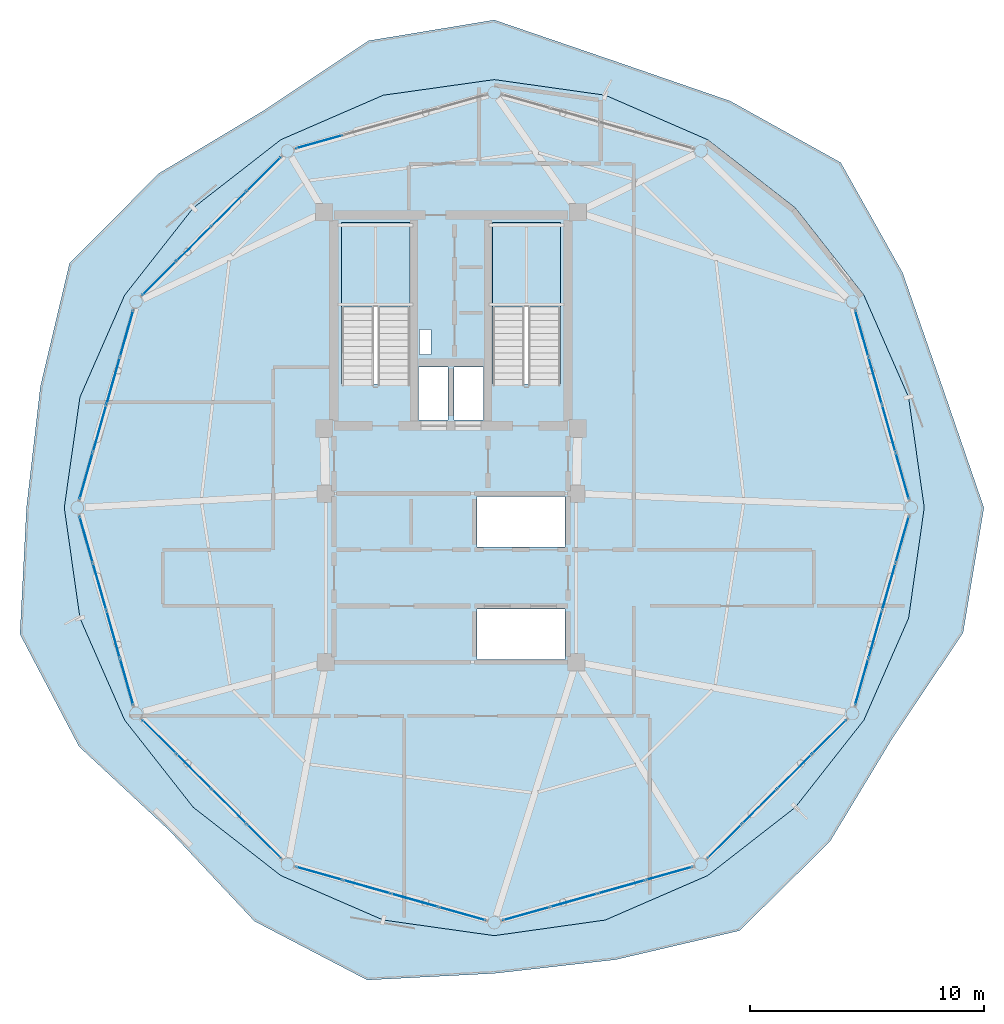
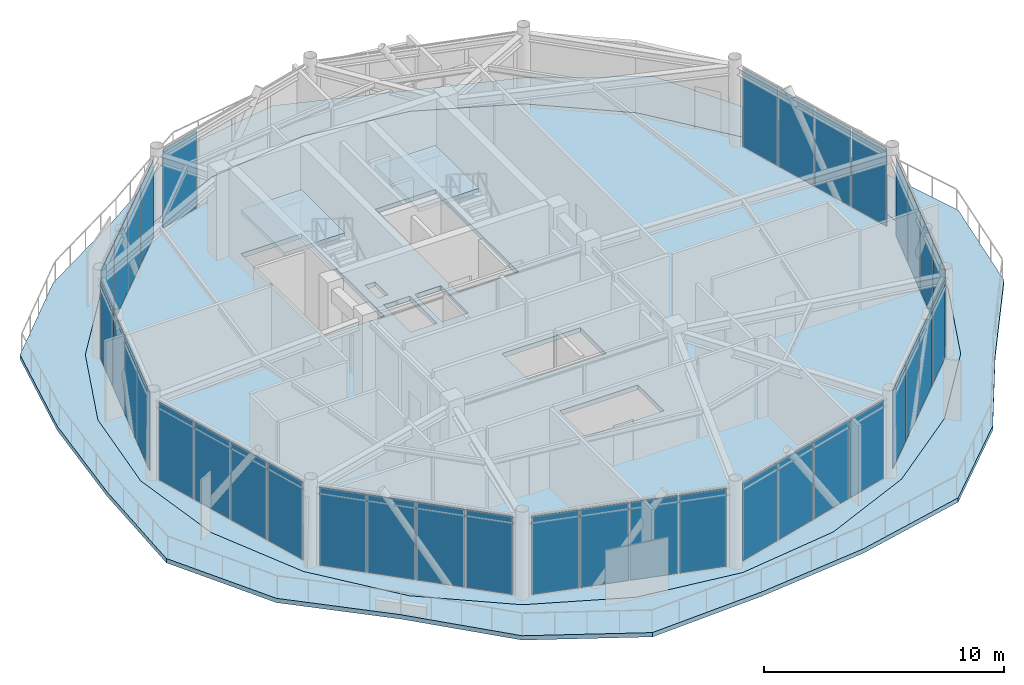
# One storey, part 17 of 24: 37 plates, 4 slabs, 12 elements without a shape of their own.
"""IFC4 building model written with IfcOpenShell, lengths in metres."""

from ifc_helpers import new_model, si_unit, direction, frame, origin, origin_2d, place, context, subcontext, project, spatial, polyline, rectangle, outline, extrude, source, transform, mapped, material, layer, layer_set, type_object, type_shapes, element, aggregate, save


model = new_model("IFC4")

# Units and contexts
model_context = context("Model", 3, precision=1e-05, world=origin(), true_north=direction((0.0, 1.0)))
body_context = subcontext(model_context, "Body", "Model", "MODEL_VIEW")
ifc_project = project(units=[si_unit("LENGTHUNIT", "METRE"), si_unit("AREAUNIT", "SQUARE_METRE"), si_unit("VOLUMEUNIT", "CUBIC_METRE"), si_unit("PLANEANGLEUNIT", "RADIAN"), si_unit("MASSUNIT", "GRAM", prefix="KILO")], contexts=[model_context])

# Site, building, storey
site_placement = place(None, origin())
site = spatial("IfcSite", under=ifc_project, at=site_placement, CompositionType="ELEMENT")
building_placement = place(site_placement, origin())
building = spatial("IfcBuilding", under=site, at=building_placement, Name="Varnakorn Sky Granary", CompositionType="ELEMENT")
storey_placement = place(building_placement, frame((0.0, 0.0, 285.0)))
storey = spatial("IfcBuildingStorey", under=building, at=storey_placement, Name="L73", CompositionType="ELEMENT", Elevation=285.0)

# Stair, slab
ifc_material_1 = material(Name="Concrete C40/50", Category="concrete")
stair_type = type_object("IfcStairType", Name="ST-MAIN-ASSEMBLY", PredefinedType="HALF_TURN_STAIR", material=ifc_material_1)
stair_1_placement = place(storey_placement, origin())
stair_1 = element("IfcStair", 1, at=stair_1_placement, inside=storey, type_object=stair_type, Name="L73 Protected Exit Stair ST-1", PredefinedType="HALF_TURN_STAIR")
ifc_layer_1 = layer(ifc_material_1, 0.199951171875, Name="Concrete C40/50")
ifc_layer_set_1 = layer_set([ifc_layer_1], Name="Concrete C40/50")
slab_type_1 = type_object("IfcSlabType", Name="ST-MAIN-LAND", PredefinedType="LANDING", material=ifc_layer_set_1)
slab_1_placement = place(storey_placement, frame((0.0, 0.0, 2.050048828125)))
slab_1 = element("IfcSlab", 2, at=slab_1_placement, type_object=slab_type_1, Name="ST-1 landing 1", PredefinedType="LANDING", context=body_context, shape_type="SweptSolid", body=[
    extrude(outline(polyline([(1.239990234375, 8.56005859375), (1.239990234375, 12.179931640625), (-1.669921875, 12.179931640625), (-1.669921875, 8.56005859375), (1.239990234375, 8.56005859375)])), origin(), (0.0, 0.0, 1.0), 0.199951171875),
])
aggregate(stair_1, [slab_1])

stair_2_placement = place(storey_placement, origin())
stair_2 = element("IfcStair", 3, at=stair_2_placement, inside=storey, type_object=stair_type, Name="L73 Protected Exit Stair ST-2", PredefinedType="HALF_TURN_STAIR")
slab_2_placement = place(storey_placement, frame((0.0, 0.0, 2.050048828125)))
slab_2 = element("IfcSlab", 4, at=slab_2_placement, type_object=slab_type_1, Name="ST-2 landing 1", PredefinedType="LANDING", context=body_context, shape_type="SweptSolid", body=[
    extrude(outline(polyline([(7.679931640625, 8.56005859375), (7.679931640625, 12.179931640625), (4.77001953125, 12.179931640625), (4.77001953125, 8.56005859375), (7.679931640625, 8.56005859375)])), origin(), (0.0, 0.0, 1.0), 0.199951171875),
])
aggregate(stair_2, [slab_2])

# Slabs
ifc_material_2 = material(Name="Precast concrete C40/50", Category="concrete")
ifc_layer_2 = layer(ifc_material_2, 0.219970703125, Name="Precast concrete C40/50")
ifc_layer_set_2 = layer_set([ifc_layer_2], Name="Precast concrete C40/50")
slab_type_2 = type_object("IfcSlabType", Name="ST-SL-DECK-220", PredefinedType="FLOOR", material=ifc_layer_set_2)
slab_3_placement = place(storey_placement, frame((0.0, 0.0, -0.219970703125)))
element("IfcSlab", 5, at=slab_3_placement, inside=storey, type_object=slab_type_2, Name="Wavy Sky-Farm Balcony Deck L73", PredefinedType="FLOOR", context=body_context, shape_type="SweptSolid", body=[
    extrude(outline(polyline([(25.7646484375, 0.0), (24.005615234375, 5.111083984375), (22.293701171875, 10.029052734375), (19.648193359375, 14.739013671875), (14.921142578125, 17.370849609375), (9.98291015625, 19.074462890625), (4.85009765625, 20.830810546875), (-0.51611328125, 19.9453125), (-4.98779296875, 16.966796875), (-9.481689453125, 14.272216796875), (-13.293701171875, 10.433349609375), (-14.5390625, 5.173583984375), (-15.13134765625, 0.0), (-15.409912109375, -5.406982421875), (-12.889404296875, -10.199951171875), (-9.014892578125, -13.8056640625), (-5.391845703125, -17.666748046875), (-0.57861328125, -20.1787109375), (4.85009765625, -19.897216796875), (10.04541015625, -19.307861328125), (15.3251953125, -18.07080078125), (19.181640625, -14.272216796875), (21.889404296875, -9.795654296875), (24.87646484375, -5.344482421875), (25.7646484375, 0.0)]), holes=[polyline([(23.218017578125, 0.0), (22.548583984375, 4.720703125), (20.64013671875, 9.074462890625), (17.7109375, 12.801513671875), (13.966552734375, 15.717529296875), (9.59228515625, 17.617431640625), (4.85009765625, 18.283935546875), (0.107666015625, 17.617431640625), (-4.2666015625, 15.717529296875), (-8.010986328125, 12.801513671875), (-10.940185546875, 9.074462890625), (-12.8486328125, 4.720703125), (-13.51806640625, 0.0), (-12.8486328125, -4.720703125), (-10.940185546875, -9.074462890625), (-8.010986328125, -12.801513671875), (-4.2666015625, -15.717529296875), (0.107666015625, -17.617431640625), (4.85009765625, -18.283935546875), (9.59228515625, -17.617431640625), (13.966552734375, -15.717529296875), (17.7109375, -12.801513671875), (20.64013671875, -9.074462890625), (22.548583984375, -4.720703125), (23.218017578125, 0.0)])]), origin(), (0.0, 0.0, 1.0), 0.219970703125),
])
ifc_material_3 = material(Name="Concrete C50/60", Category="concrete")
ifc_layer_3 = layer(ifc_material_3, 0.239990234375, Name="Concrete C50/60")
ifc_layer_set_3 = layer_set([ifc_layer_3], Name="Concrete C50/60")
slab_type_3 = type_object("IfcSlabType", Name="ST-SL-TWR-240", PredefinedType="FLOOR", material=ifc_layer_set_3)
slab_4_placement = place(storey_placement, frame((0.0, 0.0, -0.239990234375)))
element("IfcSlab", 6, at=slab_4_placement, inside=storey, type_object=slab_type_3, Name="Level L73 Structural Floor Slab", PredefinedType="FLOOR", context=body_context, shape_type="SweptSolid", body=[
    extrude(outline(polyline([(23.218017578125, 0.0), (22.548583984375, 4.720703125), (20.64013671875, 9.074462890625), (17.7109375, 12.801513671875), (13.966552734375, 15.717529296875), (9.59228515625, 17.617431640625), (4.85009765625, 18.283935546875), (0.107666015625, 17.617431640625), (-4.2666015625, 15.717529296875), (-8.010986328125, 12.801513671875), (-10.940185546875, 9.074462890625), (-12.8486328125, 4.720703125), (-13.51806640625, 0.0), (-12.8486328125, -4.720703125), (-10.940185546875, -9.074462890625), (-8.010986328125, -12.801513671875), (-4.2666015625, -15.717529296875), (0.107666015625, -17.617431640625), (4.85009765625, -18.283935546875), (9.59228515625, -17.617431640625), (13.966552734375, -15.717529296875), (17.7109375, -12.801513671875), (20.64013671875, -9.074462890625), (22.548583984375, -4.720703125), (23.218017578125, 0.0)]), holes=[polyline([(1.239990234375, 5.27490234375), (1.239990234375, 12.179931640625), (-1.669921875, 12.179931640625), (-1.669921875, 5.27490234375), (1.239990234375, 5.27490234375)]), polyline([(7.679931640625, 5.27490234375), (7.679931640625, 12.179931640625), (4.77001953125, 12.179931640625), (4.77001953125, 5.27490234375), (7.679931640625, 5.27490234375)]), polyline([(1.659912109375, 6.550048828125), (2.14990234375, 6.550048828125), (2.14990234375, 7.6201171875), (1.659912109375, 7.6201171875), (1.659912109375, 6.550048828125)]), polyline([(1.6201171875, 3.739990234375), (2.8798828125, 3.739990234375), (2.8798828125, 6.010009765625), (1.6201171875, 6.010009765625), (1.6201171875, 3.739990234375)]), polyline([(3.1201171875, 3.739990234375), (4.3798828125, 3.739990234375), (4.3798828125, 6.010009765625), (3.1201171875, 6.010009765625), (3.1201171875, 3.739990234375)]), polyline([(4.1201171875, -1.679931640625), (7.8798828125, -1.679931640625), (7.8798828125, 0.47998046875), (4.1201171875, 0.47998046875), (4.1201171875, -1.679931640625)]), polyline([(4.1201171875, -6.47998046875), (7.8798828125, -6.47998046875), (7.8798828125, -4.320068359375), (4.1201171875, -4.320068359375), (4.1201171875, -6.47998046875)])]), origin(), (0.0, 0.0, 1.0), 0.239990234375),
])

# Curtain wall, plates
ifc_material_4 = material(Name="Anodised Bronze Aluminium Alloy 6063-T6", Category="aluminium")
ifc_layer_4 = layer(ifc_material_4, 0.159912109375, Name="Anodised Bronze Aluminium Alloy 6063-T6")
ifc_layer_set_4 = layer_set([ifc_layer_4], Name="Anodised Bronze Aluminium Alloy 6063-T6")
curtain_wall_type = type_object("IfcCurtainWallType", Name="CW-OFF-1", PredefinedType="USERDEFINED", material=ifc_layer_set_4)
curtain_wall_1_placement = place(storey_placement, origin())
curtain_wall_1 = element("IfcCurtainWall", 7, at=curtain_wall_1_placement, inside=storey, type_object=curtain_wall_type, Name="Unitised Curtain Wall CW6 CW-L73-B01", ObjectType="CURTAIN WALL", PredefinedType="USERDEFINED")
ifc_material_5 = material(Name="Low-E Tinted Laminated Glass", Category="glass")
ifc_layer_5 = layer(ifc_material_5, 0.02392578125, Name="Low-E Tinted Laminated Glass")
ifc_layer_set_5 = layer_set([ifc_layer_5], Name="Low-E Tinted Laminated Glass")
plate_type = type_object("IfcPlateType", Name="CW-OFF-1-PNL", PredefinedType="CURTAIN_PANEL")
shared_shape_1 = source(origin(), body_context, "Body", "SweptSolid", [
    extrude(rectangle(XDim=2.02001953125, YDim=0.02392578125, at=origin_2d()), origin(), (0.0, 0.0, 1.0), 3.949951171875),
])
plate_1_placement = place(storey_placement, frame((20.551025390625, 7.43896484375, 0.06494140625), z_axis=(0.0, 0.0, 1.0), x_axis=(0.273708962366, -0.96181256174, 0.0)))
plate_1 = element("IfcPlate", 8, at=plate_1_placement, type_object=plate_type, material=ifc_layer_set_5, Name="CW6 vision glazing unit 1.1", PredefinedType="CURTAIN_PANEL", context=body_context, shape_type="MappedRepresentation", body=[
    mapped(shared_shape_1, transform((0.0, 0.0, 0.0), x_axis=(1.0, 0.0, 0.0), y_axis=(0.0, 1.0, 0.0), z_axis=(0.0, 0.0, 1.0), scale=1.0)),
])
plate_2_placement = place(storey_placement, frame((22.28076171875, 1.3603515625, 0.06494140625), z_axis=(0.0, 0.0, 1.0), x_axis=(0.273708962366, -0.96181256174, 0.0)))
plate_2 = element("IfcPlate", 9, at=plate_2_placement, type_object=plate_type, material=ifc_layer_set_5, Name="CW6 vision glazing unit 4.1", PredefinedType="CURTAIN_PANEL", context=body_context, shape_type="MappedRepresentation", body=[
    mapped(shared_shape_1, transform((0.0, 0.0, 0.0), x_axis=(1.0, 0.0, 0.0), y_axis=(0.0, 1.0, 0.0), z_axis=(0.0, 0.0, 1.0), scale=1.0)),
])

curtain_wall_2_placement = place(storey_placement, origin())
curtain_wall_2 = element("IfcCurtainWall", 10, at=curtain_wall_2_placement, inside=storey, type_object=curtain_wall_type, Name="Unitised Curtain Wall CW6 CW-L73-B06", ObjectType="CURTAIN WALL", PredefinedType="USERDEFINED")
plate_3_placement = place(storey_placement, frame((-12.580810546875, 1.3603515625, 0.06494140625), z_axis=(0.0, 0.0, 1.0), x_axis=(0.273708962366, 0.96181256174, 0.0)))
plate_3 = element("IfcPlate", 11, at=plate_3_placement, type_object=plate_type, material=ifc_layer_set_5, Name="CW6 vision glazing unit 1.1", PredefinedType="CURTAIN_PANEL", context=body_context, shape_type="MappedRepresentation", body=[
    mapped(shared_shape_1, transform((0.0, 0.0, 0.0), x_axis=(1.0, 0.0, 0.0), y_axis=(0.0, 1.0, 0.0), z_axis=(0.0, 0.0, 1.0), scale=1.0)),
])
plate_4_placement = place(storey_placement, frame((-10.85107421875, 7.43896484375, 0.06494140625), z_axis=(0.0, 0.0, 1.0), x_axis=(0.273708962366, 0.96181256174, 0.0)))
plate_4 = element("IfcPlate", 12, at=plate_4_placement, type_object=plate_type, material=ifc_layer_set_5, Name="CW6 vision glazing unit 4.1", PredefinedType="CURTAIN_PANEL", context=body_context, shape_type="MappedRepresentation", body=[
    mapped(shared_shape_1, transform((0.0, 0.0, 0.0), x_axis=(1.0, 0.0, 0.0), y_axis=(0.0, 1.0, 0.0), z_axis=(0.0, 0.0, 1.0), scale=1.0)),
])

curtain_wall_3_placement = place(storey_placement, origin())
curtain_wall_3 = element("IfcCurtainWall", 13, at=curtain_wall_3_placement, inside=storey, type_object=curtain_wall_type, Name="Unitised Curtain Wall CW6 CW-L73-B07", ObjectType="CURTAIN WALL", PredefinedType="USERDEFINED")
plate_5_placement = place(storey_placement, frame((-10.85107421875, -7.43896484375, 0.06494140625), z_axis=(0.0, 0.0, 1.0), x_axis=(-0.273708962366, 0.96181256174, 0.0)))
plate_5 = element("IfcPlate", 14, at=plate_5_placement, type_object=plate_type, material=ifc_layer_set_5, Name="CW6 vision glazing unit 1.1", PredefinedType="CURTAIN_PANEL", context=body_context, shape_type="MappedRepresentation", body=[
    mapped(shared_shape_1, transform((0.0, 0.0, 0.0), x_axis=(1.0, 0.0, 0.0), y_axis=(0.0, 1.0, 0.0), z_axis=(0.0, 0.0, 1.0), scale=1.0)),
])
plate_6_placement = place(storey_placement, frame((-12.580810546875, -1.3603515625, 0.06494140625), z_axis=(0.0, 0.0, 1.0), x_axis=(-0.273708962366, 0.96181256174, 0.0)))
plate_6 = element("IfcPlate", 15, at=plate_6_placement, type_object=plate_type, material=ifc_layer_set_5, Name="CW6 vision glazing unit 4.1", PredefinedType="CURTAIN_PANEL", context=body_context, shape_type="MappedRepresentation", body=[
    mapped(shared_shape_1, transform((0.0, 0.0, 0.0), x_axis=(1.0, 0.0, 0.0), y_axis=(0.0, 1.0, 0.0), z_axis=(0.0, 0.0, 1.0), scale=1.0)),
])

curtain_wall_4_placement = place(storey_placement, origin())
curtain_wall_4 = element("IfcCurtainWall", 16, at=curtain_wall_4_placement, inside=storey, type_object=curtain_wall_type, Name="Unitised Curtain Wall CW6 CW-L73-B12", ObjectType="CURTAIN WALL", PredefinedType="USERDEFINED")
plate_7_placement = place(storey_placement, frame((22.28076171875, -1.3603515625, 0.06494140625), z_axis=(0.0, 0.0, 1.0), x_axis=(-0.273708962366, -0.96181256174, 0.0)))
plate_7 = element("IfcPlate", 17, at=plate_7_placement, type_object=plate_type, material=ifc_layer_set_5, Name="CW6 vision glazing unit 1.1", PredefinedType="CURTAIN_PANEL", context=body_context, shape_type="MappedRepresentation", body=[
    mapped(shared_shape_1, transform((0.0, 0.0, 0.0), x_axis=(1.0, 0.0, 0.0), y_axis=(0.0, 1.0, 0.0), z_axis=(0.0, 0.0, 1.0), scale=1.0)),
])
plate_8_placement = place(storey_placement, frame((20.551025390625, -7.43896484375, 0.06494140625), z_axis=(0.0, 0.0, 1.0), x_axis=(-0.273708962366, -0.96181256174, 0.0)))
plate_8 = element("IfcPlate", 18, at=plate_8_placement, type_object=plate_type, material=ifc_layer_set_5, Name="CW6 vision glazing unit 4.1", PredefinedType="CURTAIN_PANEL", context=body_context, shape_type="MappedRepresentation", body=[
    mapped(shared_shape_1, transform((0.0, 0.0, 0.0), x_axis=(1.0, 0.0, 0.0), y_axis=(0.0, 1.0, 0.0), z_axis=(0.0, 0.0, 1.0), scale=1.0)),
])

# Plate
ifc_material_6 = material(Name="Opaque Insulated Aluminium Shadow-Box Unit", Category="aluminium")
ifc_layer_6 = layer(ifc_material_6, 0.02392578125, Name="Opaque Insulated Aluminium Shadow-Box Unit")
ifc_layer_set_6 = layer_set([ifc_layer_6], Name="Opaque Insulated Aluminium Shadow-Box Unit")
shared_shape_2 = source(origin(), body_context, "Body", "SweptSolid", [
    extrude(rectangle(XDim=2.052490234375, YDim=0.02392578125, at=origin_2d()), origin(), (0.0, 0.0, 1.0), 3.949951171875),
])
plate_9_placement = place(storey_placement, frame((21.126220703125, 5.41796875, 0.06494140625), z_axis=(0.0, 0.0, 1.0), x_axis=(0.273708962366, -0.96181256174, 0.0)))
plate_9 = element("IfcPlate", 19, at=plate_9_placement, type_object=plate_type, material=ifc_layer_set_6, Name="CW6 opaque insulated shadow-box unit 2.1", PredefinedType="CURTAIN_PANEL", context=body_context, shape_type="MappedRepresentation", body=[
    mapped(shared_shape_2, transform((0.0, 0.0, 0.0), x_axis=(1.0, 0.0, 0.0), y_axis=(0.0, 1.0, 0.0), z_axis=(0.0, 0.0, 1.0), scale=1.0)),
])

plate_10_placement = place(storey_placement, frame((21.705810546875, 3.38134765625, 0.06494140625), z_axis=(0.0, 0.0, 1.0), x_axis=(0.273708962366, -0.96181256174, 0.0)))
plate_10 = element("IfcPlate", 20, at=plate_10_placement, type_object=plate_type, material=ifc_layer_set_6, Name="CW6 opaque insulated shadow-box unit 3.1", PredefinedType="CURTAIN_PANEL", context=body_context, shape_type="MappedRepresentation", body=[
    mapped(shared_shape_2, transform((0.0, 0.0, 0.0), x_axis=(1.0, 0.0, 0.0), y_axis=(0.0, 1.0, 0.0), z_axis=(0.0, 0.0, 1.0), scale=1.0)),
])

aggregate(curtain_wall_1, [plate_1, plate_9, plate_10, plate_2])

plate_11_placement = place(storey_placement, frame((-12.005859375, 3.38134765625, 0.06494140625), z_axis=(0.0, 0.0, 1.0), x_axis=(0.273708962366, 0.96181256174, 0.0)))
plate_11 = element("IfcPlate", 21, at=plate_11_placement, type_object=plate_type, material=ifc_layer_set_6, Name="CW6 opaque insulated shadow-box unit 2.1", PredefinedType="CURTAIN_PANEL", context=body_context, shape_type="MappedRepresentation", body=[
    mapped(shared_shape_2, transform((0.0, 0.0, 0.0), x_axis=(1.0, 0.0, 0.0), y_axis=(0.0, 1.0, 0.0), z_axis=(0.0, 0.0, 1.0), scale=1.0)),
])

plate_12_placement = place(storey_placement, frame((-11.42626953125, 5.41796875, 0.06494140625), z_axis=(0.0, 0.0, 1.0), x_axis=(0.273708962366, 0.96181256174, 0.0)))
plate_12 = element("IfcPlate", 22, at=plate_12_placement, type_object=plate_type, material=ifc_layer_set_6, Name="CW6 opaque insulated shadow-box unit 3.1", PredefinedType="CURTAIN_PANEL", context=body_context, shape_type="MappedRepresentation", body=[
    mapped(shared_shape_2, transform((0.0, 0.0, 0.0), x_axis=(1.0, 0.0, 0.0), y_axis=(0.0, 1.0, 0.0), z_axis=(0.0, 0.0, 1.0), scale=1.0)),
])

aggregate(curtain_wall_2, [plate_3, plate_11, plate_12, plate_4])

plate_13_placement = place(storey_placement, frame((-11.42626953125, -5.41796875, 0.06494140625), z_axis=(0.0, 0.0, 1.0), x_axis=(-0.273708962366, 0.96181256174, 0.0)))
plate_13 = element("IfcPlate", 23, at=plate_13_placement, type_object=plate_type, material=ifc_layer_set_6, Name="CW6 opaque insulated shadow-box unit 2.1", PredefinedType="CURTAIN_PANEL", context=body_context, shape_type="MappedRepresentation", body=[
    mapped(shared_shape_2, transform((0.0, 0.0, 0.0), x_axis=(1.0, 0.0, 0.0), y_axis=(0.0, 1.0, 0.0), z_axis=(0.0, 0.0, 1.0), scale=1.0)),
])

plate_14_placement = place(storey_placement, frame((-12.005859375, -3.38134765625, 0.06494140625), z_axis=(0.0, 0.0, 1.0), x_axis=(-0.273708962366, 0.96181256174, 0.0)))
plate_14 = element("IfcPlate", 24, at=plate_14_placement, type_object=plate_type, material=ifc_layer_set_6, Name="CW6 opaque insulated shadow-box unit 3.1", PredefinedType="CURTAIN_PANEL", context=body_context, shape_type="MappedRepresentation", body=[
    mapped(shared_shape_2, transform((0.0, 0.0, 0.0), x_axis=(1.0, 0.0, 0.0), y_axis=(0.0, 1.0, 0.0), z_axis=(0.0, 0.0, 1.0), scale=1.0)),
])

aggregate(curtain_wall_3, [plate_5, plate_13, plate_14, plate_6])

plate_15_placement = place(storey_placement, frame((21.705810546875, -3.38134765625, 0.06494140625), z_axis=(0.0, 0.0, 1.0), x_axis=(-0.273708962366, -0.96181256174, 0.0)))
plate_15 = element("IfcPlate", 25, at=plate_15_placement, type_object=plate_type, material=ifc_layer_set_6, Name="CW6 opaque insulated shadow-box unit 2.1", PredefinedType="CURTAIN_PANEL", context=body_context, shape_type="MappedRepresentation", body=[
    mapped(shared_shape_2, transform((0.0, 0.0, 0.0), x_axis=(1.0, 0.0, 0.0), y_axis=(0.0, 1.0, 0.0), z_axis=(0.0, 0.0, 1.0), scale=1.0)),
])

plate_16_placement = place(storey_placement, frame((21.126220703125, -5.41796875, 0.06494140625), z_axis=(0.0, 0.0, 1.0), x_axis=(-0.273708962366, -0.96181256174, 0.0)))
plate_16 = element("IfcPlate", 26, at=plate_16_placement, type_object=plate_type, material=ifc_layer_set_6, Name="CW6 opaque insulated shadow-box unit 3.1", PredefinedType="CURTAIN_PANEL", context=body_context, shape_type="MappedRepresentation", body=[
    mapped(shared_shape_2, transform((0.0, 0.0, 0.0), x_axis=(1.0, 0.0, 0.0), y_axis=(0.0, 1.0, 0.0), z_axis=(0.0, 0.0, 1.0), scale=1.0)),
])

aggregate(curtain_wall_4, [plate_7, plate_15, plate_16, plate_8])

# Curtain wall, plate
curtain_wall_5_placement = place(storey_placement, origin())
curtain_wall_5 = element("IfcCurtainWall", 27, at=curtain_wall_5_placement, inside=storey, type_object=curtain_wall_type, Name="Unitised Curtain Wall CW6 CW-L73-B04", ObjectType="CURTAIN WALL", PredefinedType="USERDEFINED")
shared_shape_3 = source(origin(), body_context, "Body", "SweptSolid", [
    extrude(rectangle(XDim=2.029296875, YDim=0.02392578125, at=origin_2d()), origin(), (0.0, 0.0, 1.0), 3.949951171875),
])
plate_17_placement = place(storey_placement, frame((-2.62548828125, 15.626220703125, 0.06494140625), z_axis=(0.0, 0.0, 1.0), x_axis=(0.962474477397, 0.271372217369, 0.0)))
plate_17 = element("IfcPlate", 28, at=plate_17_placement, type_object=plate_type, material=ifc_layer_set_5, Name="CW6 vision glazing unit 1.1", PredefinedType="CURTAIN_PANEL", context=body_context, shape_type="MappedRepresentation", body=[
    mapped(shared_shape_3, transform((0.0, 0.0, 0.0), x_axis=(1.0, 0.0, 0.0), y_axis=(0.0, 1.0, 0.0), z_axis=(0.0, 0.0, 1.0), scale=1.0)),
])
aggregate(curtain_wall_5, [plate_17])

# Curtain wall, plates
curtain_wall_6_placement = place(storey_placement, origin())
curtain_wall_6 = element("IfcCurtainWall", 29, at=curtain_wall_6_placement, inside=storey, type_object=curtain_wall_type, Name="Unitised Curtain Wall CW6 CW-L73-B09", ObjectType="CURTAIN WALL", PredefinedType="USERDEFINED")
plate_18_placement = place(storey_placement, frame((3.484130859375, -17.348876953125, 0.06494140625), z_axis=(0.0, 0.0, 1.0), x_axis=(-0.962474477397, 0.271372217369, 0.0)))
plate_18 = element("IfcPlate", 30, at=plate_18_placement, type_object=plate_type, material=ifc_layer_set_5, Name="CW6 vision glazing unit 1.1", PredefinedType="CURTAIN_PANEL", context=body_context, shape_type="MappedRepresentation", body=[
    mapped(shared_shape_3, transform((0.0, 0.0, 0.0), x_axis=(1.0, 0.0, 0.0), y_axis=(0.0, 1.0, 0.0), z_axis=(0.0, 0.0, 1.0), scale=1.0)),
])
plate_19_placement = place(storey_placement, frame((-2.62548828125, -15.626220703125, 0.06494140625), z_axis=(0.0, 0.0, 1.0), x_axis=(-0.962474477397, 0.271372217369, 0.0)))
plate_19 = element("IfcPlate", 31, at=plate_19_placement, type_object=plate_type, material=ifc_layer_set_5, Name="CW6 vision glazing unit 4.1", PredefinedType="CURTAIN_PANEL", context=body_context, shape_type="MappedRepresentation", body=[
    mapped(shared_shape_3, transform((0.0, 0.0, 0.0), x_axis=(1.0, 0.0, 0.0), y_axis=(0.0, 1.0, 0.0), z_axis=(0.0, 0.0, 1.0), scale=1.0)),
])

curtain_wall_7_placement = place(storey_placement, origin())
curtain_wall_7 = element("IfcCurtainWall", 32, at=curtain_wall_7_placement, inside=storey, type_object=curtain_wall_type, Name="Unitised Curtain Wall CW6 CW-L73-B10", ObjectType="CURTAIN WALL", PredefinedType="USERDEFINED")
plate_20_placement = place(storey_placement, frame((12.32568359375, -15.626220703125, 0.06494140625), z_axis=(0.0, 0.0, 1.0), x_axis=(-0.962474477397, -0.271372217369, 0.0)))
plate_20 = element("IfcPlate", 33, at=plate_20_placement, type_object=plate_type, material=ifc_layer_set_5, Name="CW6 vision glazing unit 1.1", PredefinedType="CURTAIN_PANEL", context=body_context, shape_type="MappedRepresentation", body=[
    mapped(shared_shape_3, transform((0.0, 0.0, 0.0), x_axis=(1.0, 0.0, 0.0), y_axis=(0.0, 1.0, 0.0), z_axis=(0.0, 0.0, 1.0), scale=1.0)),
])
plate_21_placement = place(storey_placement, frame((6.2158203125, -17.348876953125, 0.06494140625), z_axis=(0.0, 0.0, 1.0), x_axis=(-0.962474477397, -0.271372217369, 0.0)))
plate_21 = element("IfcPlate", 34, at=plate_21_placement, type_object=plate_type, material=ifc_layer_set_5, Name="CW6 vision glazing unit 4.1", PredefinedType="CURTAIN_PANEL", context=body_context, shape_type="MappedRepresentation", body=[
    mapped(shared_shape_3, transform((0.0, 0.0, 0.0), x_axis=(1.0, 0.0, 0.0), y_axis=(0.0, 1.0, 0.0), z_axis=(0.0, 0.0, 1.0), scale=1.0)),
])

# Plate
shared_shape_4 = source(origin(), body_context, "Body", "SweptSolid", [
    extrude(rectangle(XDim=2.061767578125, YDim=0.02392578125, at=origin_2d()), origin(), (0.0, 0.0, 1.0), 3.949951171875),
])
plate_22_placement = place(storey_placement, frame((1.45263671875, -16.776123046875, 0.06494140625), z_axis=(0.0, 0.0, 1.0), x_axis=(-0.962474477397, 0.271372217369, 0.0)))
plate_22 = element("IfcPlate", 35, at=plate_22_placement, type_object=plate_type, material=ifc_layer_set_6, Name="CW6 opaque insulated shadow-box unit 2.1", PredefinedType="CURTAIN_PANEL", context=body_context, shape_type="MappedRepresentation", body=[
    mapped(shared_shape_4, transform((0.0, 0.0, 0.0), x_axis=(1.0, 0.0, 0.0), y_axis=(0.0, 1.0, 0.0), z_axis=(0.0, 0.0, 1.0), scale=1.0)),
])

plate_23_placement = place(storey_placement, frame((-0.59423828125, -16.198974609375, 0.06494140625), z_axis=(0.0, 0.0, 1.0), x_axis=(-0.962474477397, 0.271372217369, 0.0)))
plate_23 = element("IfcPlate", 36, at=plate_23_placement, type_object=plate_type, material=ifc_layer_set_6, Name="CW6 opaque insulated shadow-box unit 3.1", PredefinedType="CURTAIN_PANEL", context=body_context, shape_type="MappedRepresentation", body=[
    mapped(shared_shape_4, transform((0.0, 0.0, 0.0), x_axis=(1.0, 0.0, 0.0), y_axis=(0.0, 1.0, 0.0), z_axis=(0.0, 0.0, 1.0), scale=1.0)),
])

aggregate(curtain_wall_6, [plate_18, plate_22, plate_23, plate_19])

plate_24_placement = place(storey_placement, frame((10.294189453125, -16.198974609375, 0.06494140625), z_axis=(0.0, 0.0, 1.0), x_axis=(-0.962474477397, -0.271372217369, 0.0)))
plate_24 = element("IfcPlate", 37, at=plate_24_placement, type_object=plate_type, material=ifc_layer_set_6, Name="CW6 opaque insulated shadow-box unit 2.1", PredefinedType="CURTAIN_PANEL", context=body_context, shape_type="MappedRepresentation", body=[
    mapped(shared_shape_4, transform((0.0, 0.0, 0.0), x_axis=(1.0, 0.0, 0.0), y_axis=(0.0, 1.0, 0.0), z_axis=(0.0, 0.0, 1.0), scale=1.0)),
])

plate_25_placement = place(storey_placement, frame((8.247314453125, -16.776123046875, 0.06494140625), z_axis=(0.0, 0.0, 1.0), x_axis=(-0.962474477397, -0.271372217369, 0.0)))
plate_25 = element("IfcPlate", 38, at=plate_25_placement, type_object=plate_type, material=ifc_layer_set_6, Name="CW6 opaque insulated shadow-box unit 3.1", PredefinedType="CURTAIN_PANEL", context=body_context, shape_type="MappedRepresentation", body=[
    mapped(shared_shape_4, transform((0.0, 0.0, 0.0), x_axis=(1.0, 0.0, 0.0), y_axis=(0.0, 1.0, 0.0), z_axis=(0.0, 0.0, 1.0), scale=1.0)),
])

aggregate(curtain_wall_7, [plate_20, plate_24, plate_25, plate_21])

# Curtain wall, plates
curtain_wall_8_placement = place(storey_placement, origin())
curtain_wall_8 = element("IfcCurtainWall", 39, at=curtain_wall_8_placement, inside=storey, type_object=curtain_wall_type, Name="Unitised Curtain Wall CW6 CW-L73-B05", ObjectType="CURTAIN WALL", PredefinedType="USERDEFINED")
shared_shape_5 = source(origin(), body_context, "Body", "SweptSolid", [
    extrude(rectangle(XDim=2.015625, YDim=0.02392578125, at=origin_2d()), origin(), (0.0, 0.0, 1.0), 3.949951171875),
])
plate_26_placement = place(storey_placement, frame((-9.462890625, 9.7958984375, 0.06494140625), z_axis=(0.0, 0.0, 1.0), x_axis=(0.708790621831, 0.705418921213, 0.0)))
plate_26 = element("IfcPlate", 40, at=plate_26_placement, type_object=plate_type, material=ifc_layer_set_5, Name="CW6 vision glazing unit 1.1", PredefinedType="CURTAIN_PANEL", context=body_context, shape_type="MappedRepresentation", body=[
    mapped(shared_shape_5, transform((0.0, 0.0, 0.0), x_axis=(1.0, 0.0, 0.0), y_axis=(0.0, 1.0, 0.0), z_axis=(0.0, 0.0, 1.0), scale=1.0)),
])
plate_27_placement = place(storey_placement, frame((-4.992431640625, 14.244873046875, 0.06494140625), z_axis=(0.0, 0.0, 1.0), x_axis=(0.708790621831, 0.705418921213, 0.0)))
plate_27 = element("IfcPlate", 41, at=plate_27_placement, type_object=plate_type, material=ifc_layer_set_5, Name="CW6 vision glazing unit 4.1", PredefinedType="CURTAIN_PANEL", context=body_context, shape_type="MappedRepresentation", body=[
    mapped(shared_shape_5, transform((0.0, 0.0, 0.0), x_axis=(1.0, 0.0, 0.0), y_axis=(0.0, 1.0, 0.0), z_axis=(0.0, 0.0, 1.0), scale=1.0)),
])

curtain_wall_9_placement = place(storey_placement, origin())
curtain_wall_9 = element("IfcCurtainWall", 42, at=curtain_wall_9_placement, inside=storey, type_object=curtain_wall_type, Name="Unitised Curtain Wall CW6 CW-L73-B08", ObjectType="CURTAIN WALL", PredefinedType="USERDEFINED")
plate_28_placement = place(storey_placement, frame((-4.992431640625, -14.244873046875, 0.06494140625), z_axis=(0.0, 0.0, 1.0), x_axis=(-0.708790621831, 0.705418921213, 0.0)))
plate_28 = element("IfcPlate", 43, at=plate_28_placement, type_object=plate_type, material=ifc_layer_set_5, Name="CW6 vision glazing unit 1.1", PredefinedType="CURTAIN_PANEL", context=body_context, shape_type="MappedRepresentation", body=[
    mapped(shared_shape_5, transform((0.0, 0.0, 0.0), x_axis=(1.0, 0.0, 0.0), y_axis=(0.0, 1.0, 0.0), z_axis=(0.0, 0.0, 1.0), scale=1.0)),
])
plate_29_placement = place(storey_placement, frame((-9.462890625, -9.7958984375, 0.06494140625), z_axis=(0.0, 0.0, 1.0), x_axis=(-0.708790621831, 0.705418921213, 0.0)))
plate_29 = element("IfcPlate", 44, at=plate_29_placement, type_object=plate_type, material=ifc_layer_set_5, Name="CW6 vision glazing unit 4.1", PredefinedType="CURTAIN_PANEL", context=body_context, shape_type="MappedRepresentation", body=[
    mapped(shared_shape_5, transform((0.0, 0.0, 0.0), x_axis=(1.0, 0.0, 0.0), y_axis=(0.0, 1.0, 0.0), z_axis=(0.0, 0.0, 1.0), scale=1.0)),
])

curtain_wall_10_placement = place(storey_placement, origin())
curtain_wall_10 = element("IfcCurtainWall", 45, at=curtain_wall_10_placement, inside=storey, type_object=curtain_wall_type, Name="Unitised Curtain Wall CW6 CW-L73-B11", ObjectType="CURTAIN WALL", PredefinedType="USERDEFINED")
plate_30_placement = place(storey_placement, frame((19.162841796875, -9.7958984375, 0.06494140625), z_axis=(0.0, 0.0, 1.0), x_axis=(-0.708790621831, -0.705418921213, 0.0)))
plate_30 = element("IfcPlate", 46, at=plate_30_placement, type_object=plate_type, material=ifc_layer_set_5, Name="CW6 vision glazing unit 1.1", PredefinedType="CURTAIN_PANEL", context=body_context, shape_type="MappedRepresentation", body=[
    mapped(shared_shape_5, transform((0.0, 0.0, 0.0), x_axis=(1.0, 0.0, 0.0), y_axis=(0.0, 1.0, 0.0), z_axis=(0.0, 0.0, 1.0), scale=1.0)),
])
plate_31_placement = place(storey_placement, frame((14.692626953125, -14.244873046875, 0.06494140625), z_axis=(0.0, 0.0, 1.0), x_axis=(-0.708790621831, -0.705418921213, 0.0)))
plate_31 = element("IfcPlate", 47, at=plate_31_placement, type_object=plate_type, material=ifc_layer_set_5, Name="CW6 vision glazing unit 4.1", PredefinedType="CURTAIN_PANEL", context=body_context, shape_type="MappedRepresentation", body=[
    mapped(shared_shape_5, transform((0.0, 0.0, 0.0), x_axis=(1.0, 0.0, 0.0), y_axis=(0.0, 1.0, 0.0), z_axis=(0.0, 0.0, 1.0), scale=1.0)),
])

# Plate
shared_shape_6 = source(origin(), body_context, "Body", "SweptSolid", [
    extrude(rectangle(XDim=2.048095703125, YDim=0.02392578125, at=origin_2d()), origin(), (0.0, 0.0, 1.0), 3.949951171875),
])
type_shapes(plate_type, [shared_shape_1, shared_shape_2, shared_shape_3, shared_shape_4, shared_shape_5, shared_shape_6])
plate_32_placement = place(storey_placement, frame((-7.9765625, 11.27490234375, 0.06494140625), z_axis=(0.0, 0.0, 1.0), x_axis=(0.708790621831, 0.705418921213, 0.0)))
plate_32 = element("IfcPlate", 48, at=plate_32_placement, type_object=plate_type, material=ifc_layer_set_6, Name="CW6 opaque insulated shadow-box unit 2.1", PredefinedType="CURTAIN_PANEL", context=body_context, shape_type="MappedRepresentation", body=[
    mapped(shared_shape_6, transform((0.0, 0.0, 0.0), x_axis=(1.0, 0.0, 0.0), y_axis=(0.0, 1.0, 0.0), z_axis=(0.0, 0.0, 1.0), scale=1.0)),
])

plate_33_placement = place(storey_placement, frame((-6.478759765625, 12.765625, 0.06494140625), z_axis=(0.0, 0.0, 1.0), x_axis=(0.708790621831, 0.705418921213, 0.0)))
plate_33 = element("IfcPlate", 49, at=plate_33_placement, type_object=plate_type, material=ifc_layer_set_6, Name="CW6 opaque insulated shadow-box unit 3.1", PredefinedType="CURTAIN_PANEL", context=body_context, shape_type="MappedRepresentation", body=[
    mapped(shared_shape_6, transform((0.0, 0.0, 0.0), x_axis=(1.0, 0.0, 0.0), y_axis=(0.0, 1.0, 0.0), z_axis=(0.0, 0.0, 1.0), scale=1.0)),
])

aggregate(curtain_wall_8, [plate_26, plate_32, plate_33, plate_27])

plate_34_placement = place(storey_placement, frame((-6.478759765625, -12.765625, 0.06494140625), z_axis=(0.0, 0.0, 1.0), x_axis=(-0.708790621831, 0.705418921213, 0.0)))
plate_34 = element("IfcPlate", 50, at=plate_34_placement, type_object=plate_type, material=ifc_layer_set_6, Name="CW6 opaque insulated shadow-box unit 2.1", PredefinedType="CURTAIN_PANEL", context=body_context, shape_type="MappedRepresentation", body=[
    mapped(shared_shape_6, transform((0.0, 0.0, 0.0), x_axis=(1.0, 0.0, 0.0), y_axis=(0.0, 1.0, 0.0), z_axis=(0.0, 0.0, 1.0), scale=1.0)),
])

plate_35_placement = place(storey_placement, frame((-7.9765625, -11.27490234375, 0.06494140625), z_axis=(0.0, 0.0, 1.0), x_axis=(-0.708790621831, 0.705418921213, 0.0)))
plate_35 = element("IfcPlate", 51, at=plate_35_placement, type_object=plate_type, material=ifc_layer_set_6, Name="CW6 opaque insulated shadow-box unit 3.1", PredefinedType="CURTAIN_PANEL", context=body_context, shape_type="MappedRepresentation", body=[
    mapped(shared_shape_6, transform((0.0, 0.0, 0.0), x_axis=(1.0, 0.0, 0.0), y_axis=(0.0, 1.0, 0.0), z_axis=(0.0, 0.0, 1.0), scale=1.0)),
])

aggregate(curtain_wall_9, [plate_28, plate_34, plate_35, plate_29])

plate_36_placement = place(storey_placement, frame((17.676513671875, -11.27490234375, 0.06494140625), z_axis=(0.0, 0.0, 1.0), x_axis=(-0.708790621831, -0.705418921213, 0.0)))
plate_36 = element("IfcPlate", 52, at=plate_36_placement, type_object=plate_type, material=ifc_layer_set_6, Name="CW6 opaque insulated shadow-box unit 2.1", PredefinedType="CURTAIN_PANEL", context=body_context, shape_type="MappedRepresentation", body=[
    mapped(shared_shape_6, transform((0.0, 0.0, 0.0), x_axis=(1.0, 0.0, 0.0), y_axis=(0.0, 1.0, 0.0), z_axis=(0.0, 0.0, 1.0), scale=1.0)),
])

plate_37_placement = place(storey_placement, frame((16.1787109375, -12.765625, 0.06494140625), z_axis=(0.0, 0.0, 1.0), x_axis=(-0.708790621831, -0.705418921213, 0.0)))
plate_37 = element("IfcPlate", 53, at=plate_37_placement, type_object=plate_type, material=ifc_layer_set_6, Name="CW6 opaque insulated shadow-box unit 3.1", PredefinedType="CURTAIN_PANEL", context=body_context, shape_type="MappedRepresentation", body=[
    mapped(shared_shape_6, transform((0.0, 0.0, 0.0), x_axis=(1.0, 0.0, 0.0), y_axis=(0.0, 1.0, 0.0), z_axis=(0.0, 0.0, 1.0), scale=1.0)),
])

aggregate(curtain_wall_10, [plate_30, plate_36, plate_37, plate_31])

save(model, "model.ifc")
